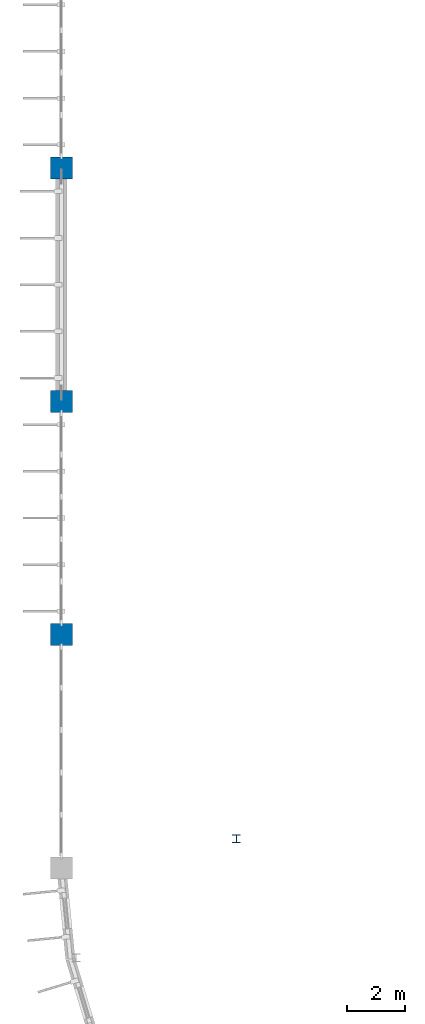
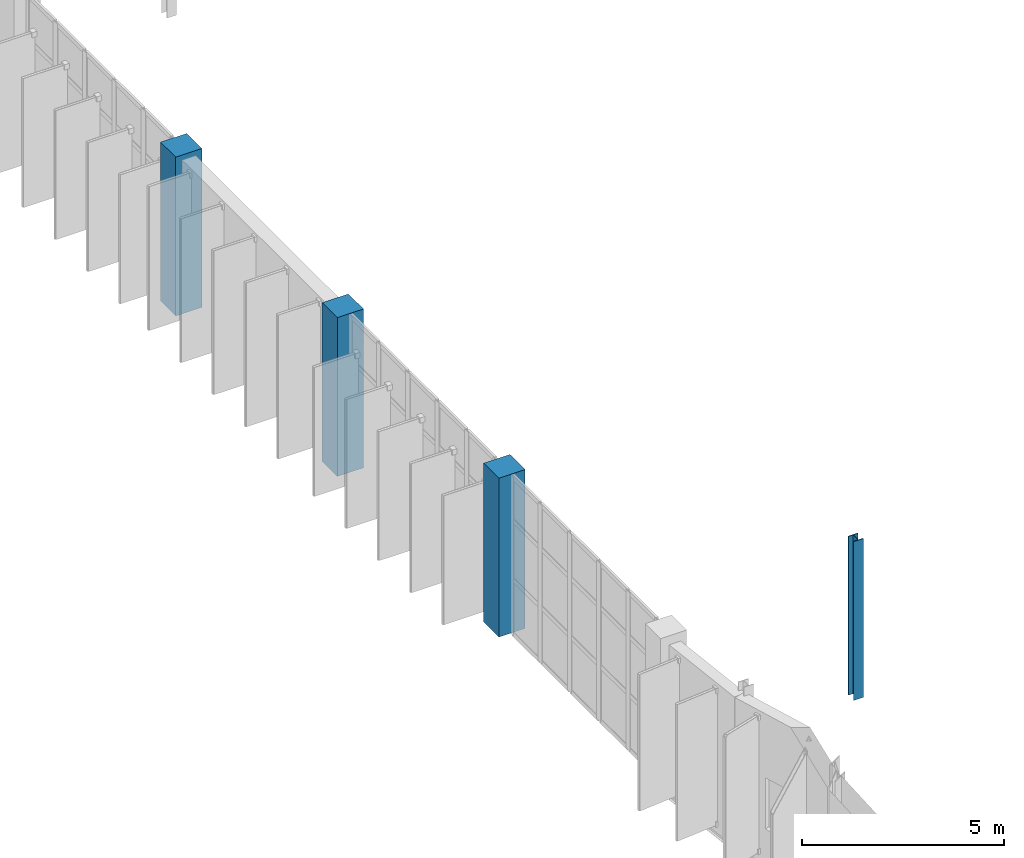
# One storey, part 3 of 93: 4 columns.
"""IFC4 building model written with IfcOpenShell, lengths in metres."""

from ifc_helpers import new_model, si_unit, direction, frame, origin, origin_2d, place, context, subcontext, project, spatial, rectangle, i_section, extrude, material, material_profile, profile_set, type_object, element, save


model = new_model("IFC4")

# Units and contexts
model_context = context("Model", 3, precision=1e-05, world=origin(), true_north=direction((0.0, 1.0)))
body_context = subcontext(model_context, "Body", "Model", "MODEL_VIEW")
ifc_project = project(units=[si_unit("LENGTHUNIT", "METRE"), si_unit("AREAUNIT", "SQUARE_METRE"), si_unit("VOLUMEUNIT", "CUBIC_METRE"), si_unit("PLANEANGLEUNIT", "RADIAN"), si_unit("MASSUNIT", "GRAM", prefix="KILO")], contexts=[model_context])

# Site, building, storey
site_placement = place(None, origin())
site = spatial("IfcSite", under=ifc_project, at=site_placement, CompositionType="ELEMENT")
building_placement = place(site_placement, origin())
building = spatial("IfcBuilding", under=site, at=building_placement, Name="Drelvana Railside Aquatics Centre", CompositionType="ELEMENT")
storey_placement = place(building_placement, frame((0.0, 0.0, 5.39990234375)))
storey = spatial("IfcBuildingStorey", under=building, at=storey_placement, Name="L01", CompositionType="ELEMENT", Elevation=5.39990234375)

# Columns
ifc_material_1 = material(Name="Concrete C40/50", Category="concrete")
ifc_material_profile_1 = material_profile(ifc_material_1, rectangle(XDim=0.75, YDim=0.75, at=origin_2d()), Name="RC 750x750")
ifc_profile_set_1 = profile_set([ifc_material_profile_1], Name="Concrete C40/50")
column_type_1 = type_object("IfcColumnType", Name="STR-COL-RC-750x750", PredefinedType="COLUMN", material=ifc_profile_set_1)
for number, where, z_axis, x_axis, name in (
    (1, (0.0, 40.0, 0.0), (0.0, 0.0, 1.0), (1.0, 0.0, 0.0), "Column C-07 (L01)"),
    (2, (0.0, 48.0, 0.0), (0.0, 0.0, 1.0), (1.0, 0.0, 0.0), "Column C-07 (L01)"),
    (3, (0.0, 56.0, 0.0), (0.0, 0.0, 1.0), (1.0, 0.0, 0.0), "Column C-07 (L01)"),
):
    element("IfcColumn", number, at=place(storey_placement, frame(where, z_axis=z_axis, x_axis=x_axis)), inside=storey, type_object=column_type_1, Name=name, PredefinedType="COLUMN", context=body_context, shape_type="SweptSolid", body=[
        extrude(rectangle(XDim=0.75, YDim=0.75, at=origin_2d()), origin(), (0.0, 0.0, 1.0), 4.800048828125),
    ])
ifc_material_2 = material(Name="Structural steel S355", Category="steel")
ifc_material_profile_2 = material_profile(ifc_material_2, i_section(OverallWidth=0.280029296875, OverallDepth=0.280029296875, WebThickness=0.010498046875, FlangeThickness=0.01806640625, at=origin_2d()), Name="HEB 280")
ifc_profile_set_2 = profile_set([ifc_material_profile_2], Name="Structural steel S355")
column_type_2 = type_object("IfcColumnType", Name="STR-SCOL-HEB-280", PredefinedType="COLUMN", material=ifc_profile_set_2)
column_placement = place(storey_placement, frame((6.0, 33.0, 0.0), z_axis=(0.0, 0.0, 1.0), x_axis=(1.0, 0.0, 0.0)))
element("IfcColumn", 4, at=column_placement, inside=storey, type_object=column_type_2, Name="Gridshell west end rafter column Y33 (L01)", PredefinedType="COLUMN", context=body_context, shape_type="SweptSolid", body=[
    extrude(i_section(OverallWidth=0.280029296875, OverallDepth=0.280029296875, WebThickness=0.010498046875, FlangeThickness=0.01806640625, at=origin_2d()), origin(), (0.0, 0.0, 1.0), 4.800048828125),
])

save(model, "model.ifc")
